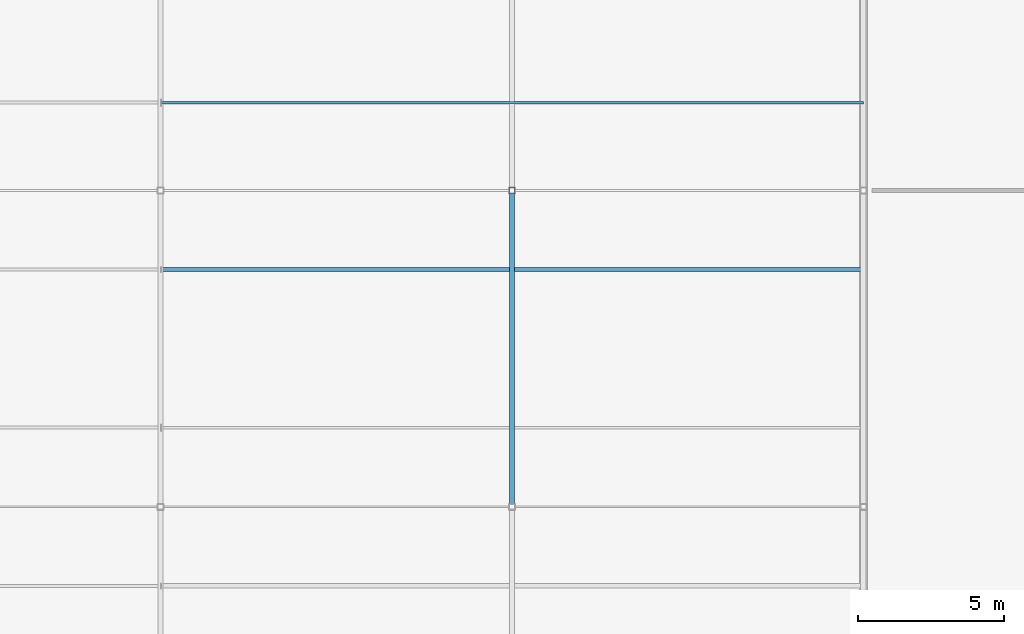
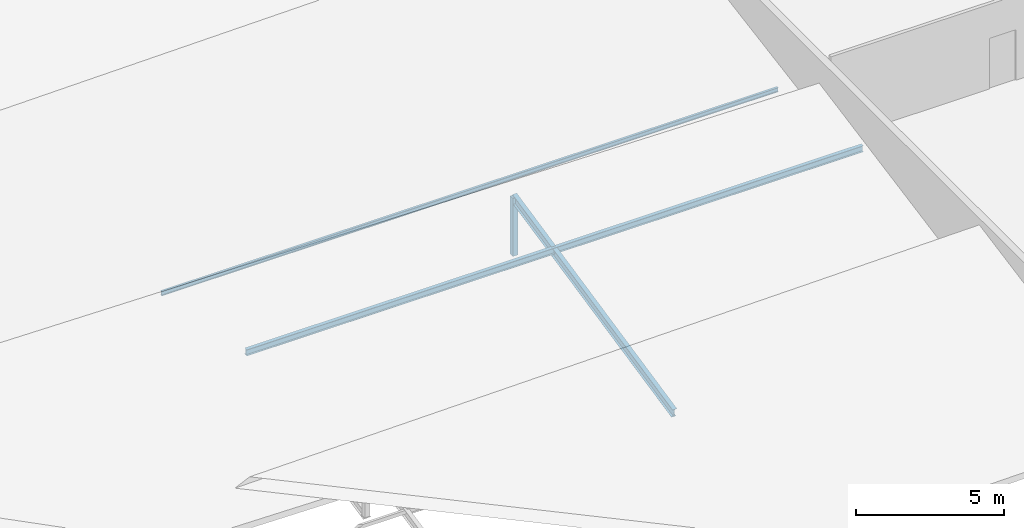
# One storey, part 68 of 226: 4 members.
"""IFC4 building model written with IfcOpenShell, lengths in metres."""

from ifc_helpers import new_model, si_unit, direction, frame, origin, origin_2d, place, context, subcontext, project, spatial, hollow_rectangle, i_section, extrude, material, material_profile, profile_set, type_object, element, save


model = new_model("IFC4")

# Units and contexts
model_context = context("Model", 3, precision=1e-05, world=origin(), true_north=direction((0.0, 1.0)))
body_context = subcontext(model_context, "Body", "Model", "MODEL_VIEW")
ifc_project = project(units=[si_unit("LENGTHUNIT", "METRE"), si_unit("AREAUNIT", "SQUARE_METRE"), si_unit("VOLUMEUNIT", "CUBIC_METRE"), si_unit("PLANEANGLEUNIT", "RADIAN"), si_unit("MASSUNIT", "GRAM", prefix="KILO")], contexts=[model_context])

# Site, building, storey
site_placement = place(None, origin())
site = spatial("IfcSite", under=ifc_project, at=site_placement, CompositionType="ELEMENT")
building_placement = place(site_placement, origin())
building = spatial("IfcBuilding", under=site, at=building_placement, Name="Tarnwether General Hospital", CompositionType="ELEMENT")
storey_placement = place(building_placement, frame((0.0, 0.0, 4.800048828125)))
storey = spatial("IfcBuildingStorey", under=building, at=storey_placement, Name="L01", CompositionType="ELEMENT", Elevation=4.800048828125)

# Members
ifc_material_1 = material(Name="Steel Grade C350L0 (350 MPa)", Category="steel")
ifc_material_profile_1 = material_profile(ifc_material_1, hollow_rectangle(XDim=0.199951171875, YDim=0.199951171875, WallThickness=0.010009765625, at=origin_2d()), Name="SHS200x200x10")
ifc_profile_set_1 = profile_set([ifc_material_profile_1], Name="Steel Grade C350L0 (350 MPa)")
member_type_1 = type_object("IfcMemberType", Name="MB-BR8", PredefinedType="BRACE", material=ifc_profile_set_1)
member_1_placement = place(storey_placement, frame((36.0, 21.60009765625, -0.380126953125), z_axis=(0.0, 0.0, 1.0), x_axis=(1.0, 0.0, 0.0)))
element("IfcMember", 1, at=member_1_placement, inside=storey, type_object=member_type_1, Name="Emergency Sawtooth Web Strut 039", PredefinedType="BRACE", context=body_context, shape_type="SweptSolid", body=[
    extrude(hollow_rectangle(XDim=0.199951171875, YDim=0.199951171875, WallThickness=0.010009765625, at=origin_2d()), origin(), (0.0, 0.0, 1.0), 2.380126953125),
])
ifc_material_2 = material(Name="Steel Grade 350 (350 MPa)", Category="steel")
ifc_material_profile_2 = material_profile(ifc_material_2, i_section(OverallWidth=0.14599609375, OverallDepth=0.256103515625, WebThickness=0.00634765625, FlangeThickness=0.010986328125, at=origin_2d()), Name="250UB37.3")
ifc_profile_set_2 = profile_set([ifc_material_profile_2], Name="Steel Grade 350 (350 MPa)")
member_type_2 = type_object("IfcMemberType", Name="MB-PR1", PredefinedType="PURLIN", material=ifc_profile_set_2)
member_2_placement = place(storey_placement, frame((24.0, 18.89990234375, 1.43994140625), z_axis=(1.0, 0.0, 0.0), x_axis=(0.0, 1.0, 0.0)))
element("IfcMember", 2, at=member_2_placement, inside=storey, type_object=member_type_2, Name="Emergency Sawtooth Purlin 044", PredefinedType="PURLIN", context=body_context, shape_type="SweptSolid", body=[
    extrude(i_section(OverallWidth=0.14599609375, OverallDepth=0.256103515625, WebThickness=0.00634765625, FlangeThickness=0.010986328125, at=origin_2d()), origin(), (0.0, 0.0, 1.0), 24.0),
])
ifc_material_3 = material(Name="Steel Grade 350 (350 MPa)", Category="steel")
ifc_material_profile_3 = material_profile(ifc_material_3, i_section(OverallWidth=0.090087890625, OverallDepth=0.178955078125, WebThickness=0.006103515625, FlangeThickness=0.010986328125, at=origin_2d()), Name="180UB22.2")
ifc_profile_set_3 = profile_set([ifc_material_profile_3], Name="Steel Grade 350 (350 MPa)")
member_type_3 = type_object("IfcMemberType", Name="MB-PR4", PredefinedType="PURLIN", material=ifc_profile_set_3)
member_3_placement = place(storey_placement, frame((24.0, 24.60009765625, 0.39990234375), z_axis=(1.0, 0.0, 0.0), x_axis=(0.0, 1.0, 0.0)))
element("IfcMember", 3, at=member_3_placement, inside=storey, type_object=member_type_3, Name="Emergency Sawtooth Purlin 051", PredefinedType="PURLIN", context=body_context, shape_type="SweptSolid", body=[
    extrude(i_section(OverallWidth=0.090087890625, OverallDepth=0.178955078125, WebThickness=0.006103515625, FlangeThickness=0.010986328125, at=origin_2d()), origin(), (0.0, 0.0, 1.0), 24.0),
])
ifc_material_4 = material(Name="Steel Grade 350 (350 MPa)", Category="steel")
ifc_material_profile_4 = material_profile(ifc_material_4, i_section(OverallWidth=0.1708984375, OverallDepth=0.35595703125, WebThickness=0.00732421875, FlangeThickness=0.011474609375, at=origin_2d()), Name="360UB50.7")
ifc_profile_set_4 = profile_set([ifc_material_profile_4], Name="Steel Grade 350 (350 MPa)")
member_type_4 = type_object("IfcMemberType", Name="MB-RF4", PredefinedType="RAFTER", material=ifc_profile_set_4)
member_4_placement = place(storey_placement, frame((36.0, 10.800048828125, -0.360107421875), z_axis=(0.0, 0.977695229902, 0.210028658584), x_axis=(-1.0, 0.0, 0.0)))
element("IfcMember", 4, at=member_4_placement, inside=storey, type_object=member_type_4, Name="Emergency Sawtooth Rafter 039", PredefinedType="RAFTER", context=body_context, shape_type="SweptSolid", body=[
    extrude(i_section(OverallWidth=0.1708984375, OverallDepth=0.35595703125, WebThickness=0.00732421875, FlangeThickness=0.011474609375, at=origin_2d()), origin(), (0.0, 0.0, 1.0), 11.04638671875),
])

save(model, "model.ifc")
